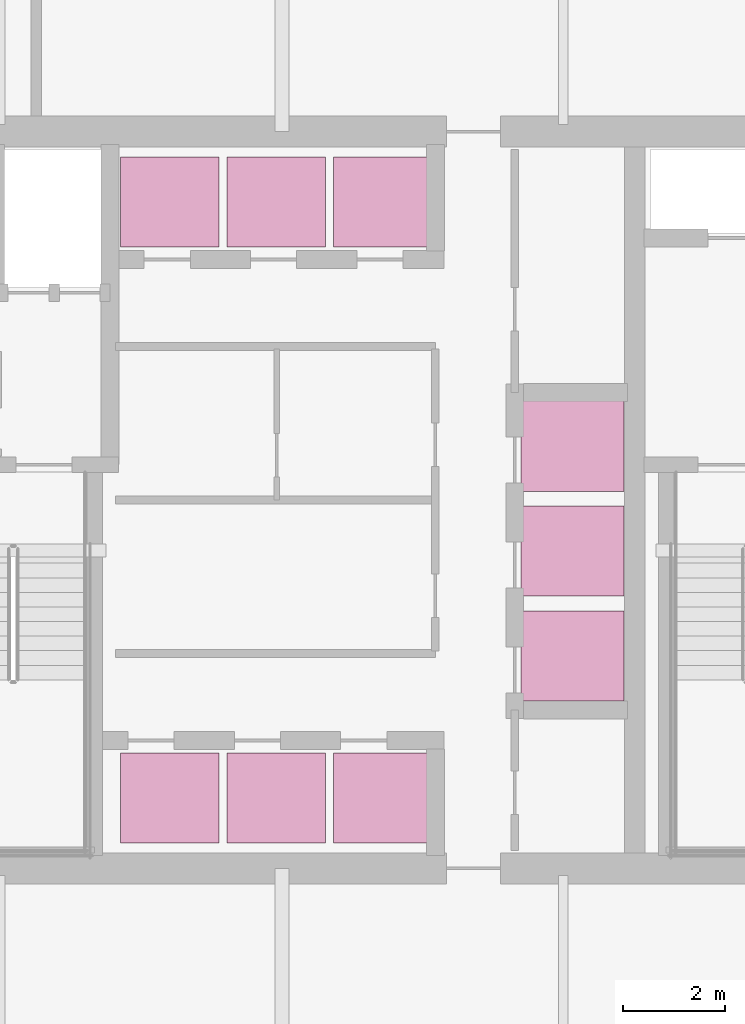
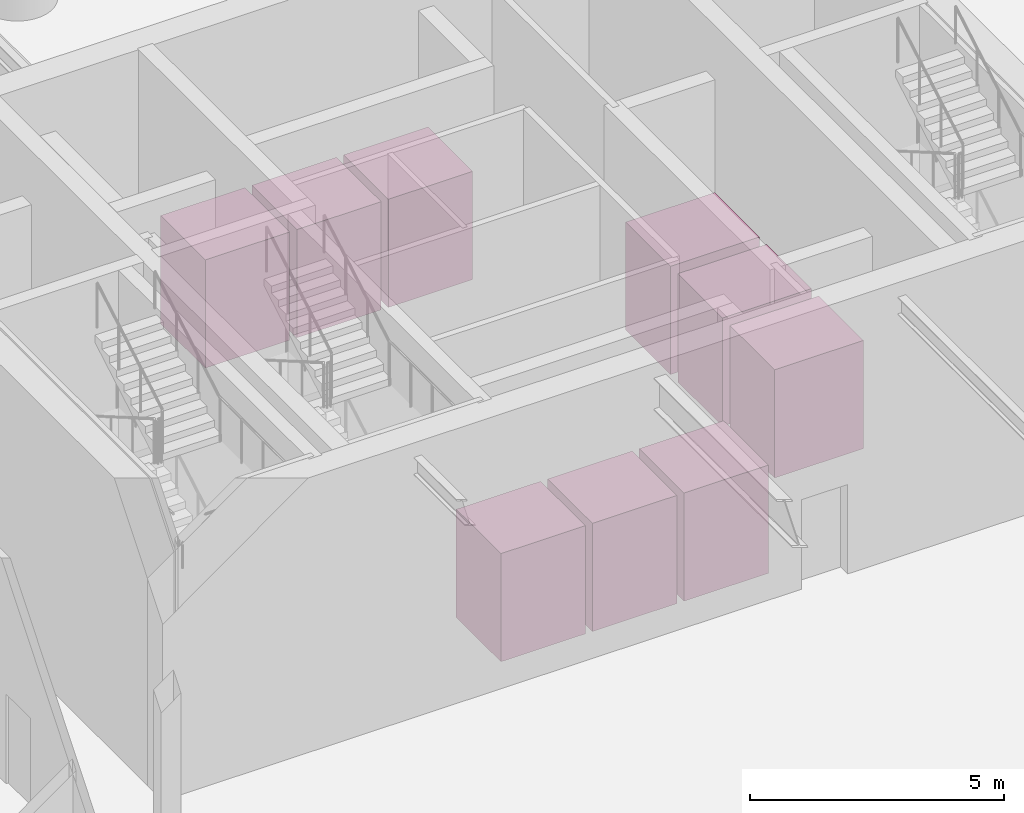
# One storey, part 15 of 15: 9 transport elements.
"""IFC4 building model written with IfcOpenShell, lengths in metres."""

import ifcopenshell
import ifcopenshell.guid

model = None  # the IFC model being written
_history = None  # IfcOwnerHistory: only IFC2X3 demands one
_inside = {}  # id of a spatial element -> (the spatial element, [elements in it])
_under = {}  # id of a project, library or spatial element -> (it, [spatial elements below it])
_declared = {}  # id of a project -> (the project, [libraries it declares])
_typed = {}  # id of a type object -> (the type object, [elements of that type])
_made_of = {}  # id of a material, layer set ... -> (it, [elements and type objects made of it])


def new_model(schema):
    """Start an empty IFC model of exactly this schema.

    Asked for "IFC4X3", IfcOpenShell would pick the latest addendum, in which some entities
    have other attributes; the version numbers below select the first issue.
    IFC2X3 requires an IfcOwnerHistory on every rooted entity: one is made here for all.
    """
    global model, _history
    if schema == "IFC4X3":
        model = ifcopenshell.file(schema_version=(4, 3, 0, 0))
    else:
        model = ifcopenshell.file(schema=schema)
    _inside.clear()
    _under.clear()
    _declared.clear()
    _typed.clear()
    _made_of.clear()
    _history = None
    if model.schema == "IFC2X3":
        org = make("IfcOrganization", Name="unknown")
        user = make(
            "IfcPersonAndOrganization",
            ThePerson=make("IfcPerson", FamilyName="unknown"),
            TheOrganization=org,
        )
        app = make(
            "IfcApplication",
            ApplicationDeveloper=org,
            Version="unknown",
            ApplicationFullName="unknown",
            ApplicationIdentifier="unknown",
        )
        _history = make(
            "IfcOwnerHistory",
            OwningUser=user,
            OwningApplication=app,
            ChangeAction="ADDED",
            CreationDate=0,
        )
    return model


def make(cls, **values):
    """One entity of the class cls with the attributes given. An attribute that is None is left unset."""
    return model.create_entity(
        cls, **{name: value for name, value in values.items() if value is not None}
    )


def rooted(cls, **values):
    """An entity with a GlobalId (a new one), such as an element, a storey or a relation."""
    return make(cls, GlobalId=ifcopenshell.guid.new(), OwnerHistory=_history, **values)


def si_unit(unit_type, name, prefix=None):
    """IfcSIUnit, for example si_unit("LENGTHUNIT", "METRE", prefix="MILLI")."""
    return make("IfcSIUnit", UnitType=unit_type, Prefix=prefix, Name=name)


def assignment(units):
    """IfcUnitAssignment: the units of a project."""
    return None if units is None else make("IfcUnitAssignment", Units=units)


def point(xyz):
    """IfcCartesianPoint."""
    return None if xyz is None else make("IfcCartesianPoint", Coordinates=xyz)


def direction(xyz):
    """IfcDirection."""
    return None if xyz is None else make("IfcDirection", DirectionRatios=xyz)


def frame(location, z_axis=None, x_axis=None):
    """IfcAxis2Placement3D, a coordinate frame: its origin and axes. An axis left out is left unset."""
    return make(
        "IfcAxis2Placement3D",
        Location=point(location),
        Axis=direction(z_axis),
        RefDirection=direction(x_axis),
    )


def frame_2d(location, x_axis=None):
    """IfcAxis2Placement2D, a coordinate frame in the plane: its origin and x axis."""
    return make(
        "IfcAxis2Placement2D", Location=point(location), RefDirection=direction(x_axis)
    )


def origin():
    """The frame at (0, 0, 0) with its axes left unset."""
    return frame((0.0, 0.0, 0.0))


def origin_2d():
    """The frame at (0, 0) in the plane with its x axis left unset."""
    return frame_2d((0.0, 0.0))


def place(relative_to, where):
    """IfcLocalPlacement: puts the frame where relative to a parent placement (None: the world)."""
    return make(
        "IfcLocalPlacement", PlacementRelTo=relative_to, RelativePlacement=where
    )


def context(
    kind, dimensions, precision=None, world=None, true_north=None, identifier=None
):
    """IfcGeometricRepresentationContext, for example the 3D "Model" context."""
    return make(
        "IfcGeometricRepresentationContext",
        ContextIdentifier=identifier,
        ContextType=kind,
        CoordinateSpaceDimension=dimensions,
        Precision=precision,
        WorldCoordinateSystem=world,
        TrueNorth=true_north,
    )


def subcontext(parent, identifier, kind, view, scale=None):
    """IfcGeometricRepresentationSubContext, for example "Body" below "Model"."""
    return make(
        "IfcGeometricRepresentationSubContext",
        ContextIdentifier=identifier,
        ContextType=kind,
        ParentContext=parent,
        TargetScale=scale,
        TargetView=view,
    )


def project(units=None, contexts=None):
    """IfcProject with its units and contexts."""
    return rooted(
        "IfcProject",
        Name="project",
        RepresentationContexts=contexts,
        UnitsInContext=assignment(units),
    )


def spatial(cls, under=None, at=None, **own):
    """A site, building, storey or space (cls), placed at a placement, below another one or the project."""
    s = rooted(cls, ObjectPlacement=at, **own)
    if under is not None:
        _under.setdefault(under.id(), (under, []))[1].append(s)
    return s


def profile(cls, at=None, kind="AREA", **sizes):
    """A parametric profile (cls). Its sizes go by their IFC names, for example OverallWidth=200.0."""
    return make(cls, ProfileType=kind, Position=at, **sizes)


def rectangle(**sizes):
    """IfcRectangleProfileDef."""
    return profile("IfcRectangleProfileDef", **sizes)


def extrude(swept, where, along, depth):
    """IfcExtrudedAreaSolid: the profile swept, set in the frame where, extruded along a direction by depth."""
    return make(
        "IfcExtrudedAreaSolid",
        SweptArea=swept,
        Position=where,
        ExtrudedDirection=direction(along),
        Depth=depth,
    )


def shape(context_of_items, identifier, shape_type, items):
    """IfcShapeRepresentation: the items that make up one representation, for example the "Body"."""
    return make(
        "IfcShapeRepresentation",
        ContextOfItems=context_of_items,
        RepresentationIdentifier=identifier,
        RepresentationType=shape_type,
        Items=items,
    )


def material(Name=None, Category=None):
    """IfcMaterial."""
    return make("IfcMaterial", Name=Name, Category=Category)


def made_of(thing, what):
    """Note that an element or type object is made of a material, layer set ...; save() writes the relation."""
    if what is not None:
        _made_of.setdefault(what.id(), (what, []))[1].append(thing)
    return thing


def type_object(cls, material=None, **own):
    """A type object (cls), such as IfcWallType, which elements share."""
    return made_of(rooted(cls, **own), material)


def element(
    cls,
    number,
    at=None,
    inside=None,
    cuts=None,
    type_object=None,
    material=None,
    context=None,
    identifier="Body",
    shape_type=None,
    held_by="IfcProductDefinitionShape",
    body=None,
    shapes=None,
    **own,
):
    """One element of the class cls, such as IfcWall. Its Tag is "e" and its number.

    at: its placement. inside: the storey or other place that contains it. cuts: it is an
    opening in that element (IfcRelVoidsElement). A single representation is given by context,
    identifier, shape_type and body (its items); several are given by shapes. held_by: the class
    of the entity that holds the representations. save() writes the other relations.
    """
    e = rooted(cls, Tag="e%d" % number, ObjectPlacement=at, **own)
    if body is not None:
        shapes = [shape(context, identifier, shape_type, body)]
    if shapes is not None:
        e.Representation = make(held_by, Representations=shapes)
    if inside is not None:
        _inside.setdefault(inside.id(), (inside, []))[1].append(e)
    if cuts is not None:
        rooted(
            "IfcRelVoidsElement", RelatingBuildingElement=cuts, RelatedOpeningElement=e
        )
    if type_object is not None:
        _typed.setdefault(type_object.id(), (type_object, []))[1].append(e)
    return made_of(e, material)


def aggregate(whole, parts):
    """IfcRelAggregates: a whole, such as a stair, and the parts it consists of."""
    return rooted("IfcRelAggregates", RelatingObject=whole, RelatedObjects=parts)


def save(model, path):
    """Write the relations noted so far, then the file.

    IfcRelAggregates (storeys below a building ...), IfcRelContainedInSpatialStructure (elements
    in a storey), IfcRelDefinesByType, IfcRelAssociatesMaterial and IfcRelDeclares: one each for
    every whole, place, type object, material and project.
    """
    for whole, parts in _under.values():
        aggregate(whole, parts)
    for where, things in _inside.values():
        rooted(
            "IfcRelContainedInSpatialStructure",
            RelatedElements=things,
            RelatingStructure=where,
        )
    for kind, things in _typed.values():
        rooted("IfcRelDefinesByType", RelatedObjects=things, RelatingType=kind)
    for what, things in _made_of.values():
        rooted("IfcRelAssociatesMaterial", RelatedObjects=things, RelatingMaterial=what)
    for by, libraries in _declared.values():
        rooted("IfcRelDeclares", RelatingContext=by, RelatedDefinitions=libraries)
    model.write(path)


model = new_model("IFC4")

# Units and contexts
model_context = context("Model", 3, precision=1e-05, world=origin(), true_north=direction((0.0, 1.0)))
body_context = subcontext(model_context, "Body", "Model", "MODEL_VIEW")
ifc_project = project(units=[si_unit("LENGTHUNIT", "METRE"), si_unit("AREAUNIT", "SQUARE_METRE"), si_unit("VOLUMEUNIT", "CUBIC_METRE"), si_unit("PLANEANGLEUNIT", "RADIAN"), si_unit("MASSUNIT", "GRAM", prefix="KILO")], contexts=[model_context])

# Site, building, storey
site_placement = place(None, origin())
site = spatial("IfcSite", under=ifc_project, at=site_placement, CompositionType="ELEMENT")
building_placement = place(site_placement, origin())
building = spatial("IfcBuilding", under=site, at=building_placement, Name="Bramvorn Convention Spire", CompositionType="ELEMENT")
storey_placement = place(building_placement, origin())
storey = spatial("IfcBuildingStorey", under=building, at=storey_placement, Name="L00", CompositionType="ELEMENT", Elevation=0.0)

# Transport elements
ifc_material = material(Name="Stainless Steel & Champagne Bronze Elevator Cab", Category="steel")
transport_element_type_1 = type_object("IfcTransportElementType", Name="LFT-PH1", PredefinedType="ELEVATOR", material=ifc_material)
transport_element_1_placement = place(storey_placement, frame((43.679931640625, 22.949951171875, 0.0), z_axis=(0.0, 0.0, 1.0), x_axis=(1.0, 0.0, 0.0)))
element("IfcTransportElement", 1, at=transport_element_1_placement, inside=storey, type_object=transport_element_type_1, Name="Passenger Elevator PH1", PredefinedType="ELEVATOR", context=body_context, shape_type="SweptSolid", body=[
    extrude(rectangle(XDim=2.02001953125, YDim=1.760009765625, at=origin_2d()), origin(), (0.0, 0.0, 1.0), 2.60009765625),
])
transport_element_type_2 = type_object("IfcTransportElementType", Name="LFT-PH2", PredefinedType="ELEVATOR", material=ifc_material)
transport_element_2_placement = place(storey_placement, frame((43.679931640625, 25.0, 0.0), z_axis=(0.0, 0.0, 1.0), x_axis=(1.0, 0.0, 0.0)))
element("IfcTransportElement", 2, at=transport_element_2_placement, inside=storey, type_object=transport_element_type_2, Name="Passenger Elevator PH2", PredefinedType="ELEVATOR", context=body_context, shape_type="SweptSolid", body=[
    extrude(rectangle(XDim=2.02001953125, YDim=1.760009765625, at=origin_2d()), origin(), (0.0, 0.0, 1.0), 2.60009765625),
])
transport_element_type_3 = type_object("IfcTransportElementType", Name="LFT-PH3", PredefinedType="ELEVATOR", material=ifc_material)
transport_element_3_placement = place(storey_placement, frame((43.679931640625, 27.050048828125, 0.0), z_axis=(0.0, 0.0, 1.0), x_axis=(1.0, 0.0, 0.0)))
element("IfcTransportElement", 3, at=transport_element_3_placement, inside=storey, type_object=transport_element_type_3, Name="Passenger Elevator PH3", PredefinedType="ELEVATOR", context=body_context, shape_type="SweptSolid", body=[
    extrude(rectangle(XDim=2.02001953125, YDim=1.760009765625, at=origin_2d()), origin(), (0.0, 0.0, 1.0), 2.60009765625),
])
transport_element_type_4 = type_object("IfcTransportElementType", Name="LFT-PL1", PredefinedType="ELEVATOR", material=ifc_material)
transport_element_4_placement = place(storey_placement, frame((35.81005859375, 31.820068359375, 0.0), z_axis=(0.0, 0.0, 1.0), x_axis=(1.0, 0.0, 0.0)))
element("IfcTransportElement", 4, at=transport_element_4_placement, inside=storey, type_object=transport_element_type_4, Name="Passenger Elevator PL1", PredefinedType="ELEVATOR", context=body_context, shape_type="SweptSolid", body=[
    extrude(rectangle(XDim=1.919921875, YDim=1.760009765625, at=origin_2d()), origin(), (0.0, 0.0, 1.0), 2.60009765625),
])
transport_element_type_5 = type_object("IfcTransportElementType", Name="LFT-PL2", PredefinedType="ELEVATOR", material=ifc_material)
transport_element_5_placement = place(storey_placement, frame((37.889892578125, 31.820068359375, 0.0), z_axis=(0.0, 0.0, 1.0), x_axis=(1.0, 0.0, 0.0)))
element("IfcTransportElement", 5, at=transport_element_5_placement, inside=storey, type_object=transport_element_type_5, Name="Passenger Elevator PL2", PredefinedType="ELEVATOR", context=body_context, shape_type="SweptSolid", body=[
    extrude(rectangle(XDim=1.919921875, YDim=1.760009765625, at=origin_2d()), origin(), (0.0, 0.0, 1.0), 2.60009765625),
])
transport_element_type_6 = type_object("IfcTransportElementType", Name="LFT-PL3", PredefinedType="ELEVATOR", material=ifc_material)
transport_element_6_placement = place(storey_placement, frame((39.969970703125, 31.820068359375, 0.0), z_axis=(0.0, 0.0, 1.0), x_axis=(1.0, 0.0, 0.0)))
element("IfcTransportElement", 6, at=transport_element_6_placement, inside=storey, type_object=transport_element_type_6, Name="Passenger Elevator PL3", PredefinedType="ELEVATOR", context=body_context, shape_type="SweptSolid", body=[
    extrude(rectangle(XDim=1.919921875, YDim=1.760009765625, at=origin_2d()), origin(), (0.0, 0.0, 1.0), 2.60009765625),
])
transport_element_type_7 = type_object("IfcTransportElementType", Name="LFT-PM1", PredefinedType="ELEVATOR", material=ifc_material)
transport_element_7_placement = place(storey_placement, frame((35.81005859375, 20.179931640625, 0.0), z_axis=(0.0, 0.0, 1.0), x_axis=(1.0, 0.0, 0.0)))
element("IfcTransportElement", 7, at=transport_element_7_placement, inside=storey, type_object=transport_element_type_7, Name="Passenger Elevator PM1", PredefinedType="ELEVATOR", context=body_context, shape_type="SweptSolid", body=[
    extrude(rectangle(XDim=1.919921875, YDim=1.760009765625, at=origin_2d()), origin(), (0.0, 0.0, 1.0), 2.60009765625),
])
transport_element_type_8 = type_object("IfcTransportElementType", Name="LFT-PM2", PredefinedType="ELEVATOR", material=ifc_material)
transport_element_8_placement = place(storey_placement, frame((37.889892578125, 20.179931640625, 0.0), z_axis=(0.0, 0.0, 1.0), x_axis=(1.0, 0.0, 0.0)))
element("IfcTransportElement", 8, at=transport_element_8_placement, inside=storey, type_object=transport_element_type_8, Name="Passenger Elevator PM2", PredefinedType="ELEVATOR", context=body_context, shape_type="SweptSolid", body=[
    extrude(rectangle(XDim=1.919921875, YDim=1.760009765625, at=origin_2d()), origin(), (0.0, 0.0, 1.0), 2.60009765625),
])
transport_element_type_9 = type_object("IfcTransportElementType", Name="LFT-PM3", PredefinedType="ELEVATOR", material=ifc_material)
transport_element_9_placement = place(storey_placement, frame((39.969970703125, 20.179931640625, 0.0), z_axis=(0.0, 0.0, 1.0), x_axis=(1.0, 0.0, 0.0)))
element("IfcTransportElement", 9, at=transport_element_9_placement, inside=storey, type_object=transport_element_type_9, Name="Passenger Elevator PM3", PredefinedType="ELEVATOR", context=body_context, shape_type="SweptSolid", body=[
    extrude(rectangle(XDim=1.919921875, YDim=1.760009765625, at=origin_2d()), origin(), (0.0, 0.0, 1.0), 2.60009765625),
])

save(model, "model.ifc")
